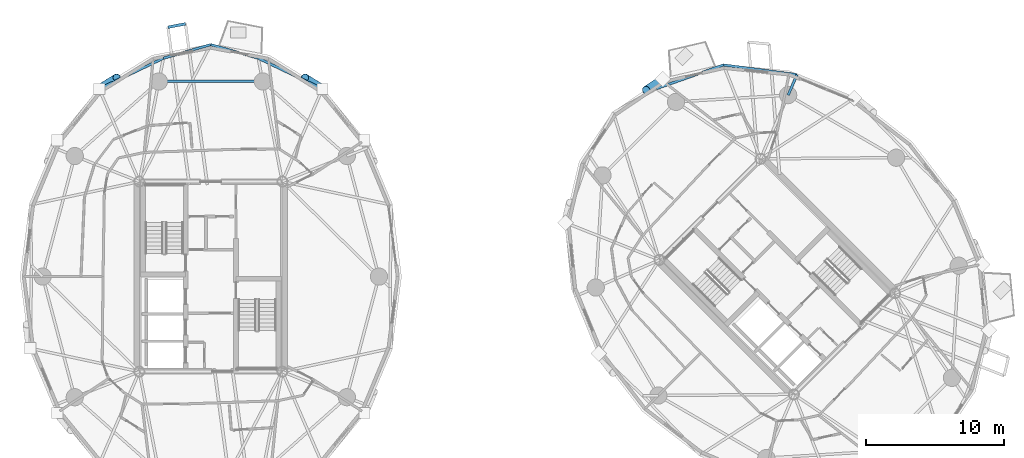
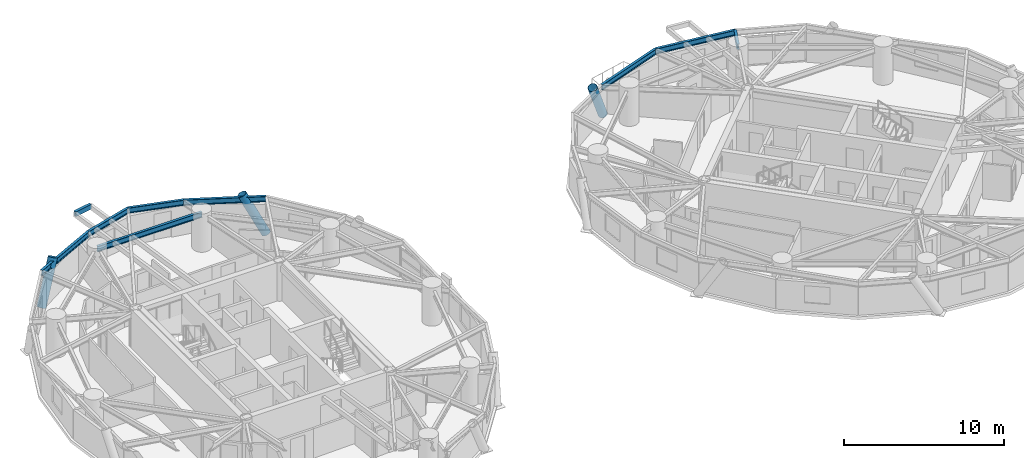
# One storey, part 6 of 19: 9 beams, 3 members.
"""IFC4 building model written with IfcOpenShell, lengths in metres."""

from ifc_helpers import new_model, si_unit, direction, frame, origin, origin_2d, place, context, subcontext, project, spatial, hollow_rectangle, hollow_circle, i_section, extrude, material, material_profile, profile_set, type_object, element, save


model = new_model("IFC4")

# Units and contexts
model_context = context("Model", 3, precision=1e-05, world=origin(), true_north=direction((0.0, 1.0)))
body_context = subcontext(model_context, "Body", "Model", "MODEL_VIEW")
ifc_project = project(units=[si_unit("LENGTHUNIT", "METRE"), si_unit("AREAUNIT", "SQUARE_METRE"), si_unit("VOLUMEUNIT", "CUBIC_METRE"), si_unit("PLANEANGLEUNIT", "RADIAN"), si_unit("MASSUNIT", "GRAM", prefix="KILO")], contexts=[model_context])

# Site, building, storey
site_placement = place(None, origin())
site = spatial("IfcSite", under=ifc_project, at=site_placement, CompositionType="ELEMENT")
building_placement = place(site_placement, origin())
building = spatial("IfcBuilding", under=site, at=building_placement, Name="Cununo Teusaquillo Station Towers", CompositionType="ELEMENT")
storey_placement = place(building_placement, frame((0.0, 0.0, 177.7900390625)))
storey = spatial("IfcBuildingStorey", under=building, at=storey_placement, Name="L56", CompositionType="ELEMENT", Elevation=177.7900390625)

# Beams
ifc_material_1 = material(Name="Steel ASTM A572 Grade 50", Category="steel")
ifc_material_profile_1 = material_profile(ifc_material_1, i_section(OverallWidth=0.180908203125, OverallDepth=0.4169921875, WebThickness=0.010986328125, FlangeThickness=0.018310546875, FilletRadius=0.012939453125, at=origin_2d()), Name="W16X57")
ifc_profile_set_1 = profile_set([ifc_material_profile_1], Name="Steel ASTM A572 Grade 50")
beam_type_1 = type_object("IfcBeamType", Name="BM-RAD-G2", PredefinedType="BEAM", material=ifc_profile_set_1)
beam_1_placement = place(storey_placement, frame((58.291015625, 37.63525390625, 2.4814453125), z_axis=(0.397381487564, 0.917653503966, 0.0), x_axis=(-0.917653503966, 0.397381487564, 0.0)))
element("IfcBeam", 1, at=beam_1_placement, inside=storey, type_object=beam_type_1, Name="L56 Tower B Perimeter Overhang Girder 02B", PredefinedType="BEAM", context=body_context, shape_type="SweptSolid", body=[
    extrude(i_section(OverallWidth=0.180908203125, OverallDepth=0.4169921875, WebThickness=0.010986328125, FlangeThickness=0.018310546875, FilletRadius=0.012939453125, at=origin_2d()), origin(), (0.0, 0.0, 1.0), 1.607177734375),
])
ifc_material_2 = material(Name="Steel ASTM A572 Grade 50", Category="steel")
ifc_material_profile_2 = material_profile(ifc_material_2, i_section(OverallWidth=0.180908203125, OverallDepth=0.4169921875, WebThickness=0.010986328125, FlangeThickness=0.018310546875, FilletRadius=0.012939453125, at=origin_2d()), Name="W16X57")
ifc_profile_set_2 = profile_set([ifc_material_profile_2], Name="Steel ASTM A572 Grade 50")
beam_type_2 = type_object("IfcBeamType", Name="BM-RING-Z3", PredefinedType="SPANDREL", material=ifc_profile_set_2)
beam_2_placement = place(storey_placement, frame((20.261474609375, 38.623291015625, 2.4814453125), z_axis=(-1.0, 0.0, 0.0), x_axis=(0.0, -1.0, 0.0)))
element("IfcBeam", 2, at=beam_2_placement, inside=storey, type_object=beam_type_2, Name="L56 Tower A Structural Column Ring Girder 03", PredefinedType="SPANDREL", context=body_context, shape_type="SweptSolid", body=[
    extrude(i_section(OverallWidth=0.180908203125, OverallDepth=0.4169921875, WebThickness=0.010986328125, FlangeThickness=0.018310546875, FilletRadius=0.012939453125, at=origin_2d()), origin(), (0.0, 0.0, 1.0), 7.52294921875),
])
beam_3_placement = place(storey_placement, frame((24.58251953125, 38.08349609375, 2.4814453125), z_axis=(-0.902031610991, 0.431669981319, 0.0), x_axis=(-0.431669981319, -0.902031610991, 0.0)))
element("IfcBeam", 3, at=beam_3_placement, inside=storey, type_object=beam_type_2, Name="L56 Tower A Spandrel Ring Beam 04", PredefinedType="SPANDREL", context=body_context, shape_type="SweptSolid", body=[
    extrude(i_section(OverallWidth=0.180908203125, OverallDepth=0.4169921875, WebThickness=0.010986328125, FlangeThickness=0.018310546875, FilletRadius=0.012939453125, at=origin_2d()), origin(), (0.0, 0.0, 1.0), 5.1552734375),
])
for number, where, z_axis, x_axis, name in (
    (4, (19.932373046875, 40.308837890625, 2.4814453125), (-0.961485227168, 0.274856613414, 0.0), (-0.274856613414, -0.961485227168, 0.0), "L56 Tower A Spandrel Ring Beam 05"),
    (5, (16.5, 41.2900390625, 2.4814453125), (-0.961485227168, -0.274856613414, 0.0), (0.274856613414, -0.961485227168, 0.0), "L56 Tower A Spandrel Ring Beam 06"),
):
    element("IfcBeam", number, at=place(storey_placement, frame(where, z_axis=z_axis, x_axis=x_axis)), inside=storey, type_object=beam_type_2, Name=name, PredefinedType="SPANDREL", context=body_context, shape_type="SweptSolid", body=[
        extrude(i_section(OverallWidth=0.180908203125, OverallDepth=0.4169921875, WebThickness=0.010986328125, FlangeThickness=0.018310546875, FilletRadius=0.012939453125, at=origin_2d()), origin(), (0.0, 0.0, 1.0), 3.56982421875),
    ])
beam_4_placement = place(storey_placement, frame((13.067626953125, 40.308837890625, 2.4814453125), z_axis=(-0.902031610991, -0.431669981319, 0.0), x_axis=(0.431669981319, -0.902031610991, 0.0)))
element("IfcBeam", 6, at=beam_4_placement, inside=storey, type_object=beam_type_2, Name="L56 Tower A Spandrel Ring Beam 07", PredefinedType="SPANDREL", context=body_context, shape_type="SweptSolid", body=[
    extrude(i_section(OverallWidth=0.180908203125, OverallDepth=0.4169921875, WebThickness=0.010986328125, FlangeThickness=0.018310546875, FilletRadius=0.012939453125, at=origin_2d()), origin(), (0.0, 0.0, 1.0), 5.1552734375),
])
beam_5_placement = place(storey_placement, frame((58.9296875, 39.110107421875, 2.4814453125), z_axis=(-0.991204443213, 0.132339532096, 0.0), x_axis=(-0.132339532096, -0.991204443213, 0.0)))
element("IfcBeam", 7, at=beam_5_placement, inside=storey, type_object=beam_type_2, Name="L56 Tower B Spandrel Ring Beam 03", PredefinedType="SPANDREL", context=body_context, shape_type="SweptSolid", body=[
    extrude(i_section(OverallWidth=0.180908203125, OverallDepth=0.4169921875, WebThickness=0.010986328125, FlangeThickness=0.018310546875, FilletRadius=0.012939453125, at=origin_2d()), origin(), (0.0, 0.0, 1.0), 5.366455078125),
])
beam_6_placement = place(storey_placement, frame((53.6103515625, 39.8203125, 2.4814453125), z_axis=(-0.943071614141, -0.332589733158, 0.0), x_axis=(0.332589733158, -0.943071614141, 0.0)))
element("IfcBeam", 8, at=beam_6_placement, inside=storey, type_object=beam_type_2, Name="L56 Tower B Spandrel Ring Beam 04", PredefinedType="SPANDREL", context=body_context, shape_type="SweptSolid", body=[
    extrude(i_section(OverallWidth=0.180908203125, OverallDepth=0.4169921875, WebThickness=0.010986328125, FlangeThickness=0.018310546875, FilletRadius=0.012939453125, at=origin_2d()), origin(), (0.0, 0.0, 1.0), 5.1552734375),
])
ifc_material_3 = material(Name="Steel EN 10025-2 S355J2", Category="steel")
ifc_material_profile_3 = material_profile(ifc_material_3, hollow_rectangle(XDim=0.199951171875, YDim=0.35009765625, WallThickness=0.013916015625, at=origin_2d()), Name="RHS 350x200x14")
ifc_profile_set_3 = profile_set([ifc_material_profile_3], Name="Steel EN 10025-2 S355J2")
beam_type_3 = type_object("IfcBeamType", Name="BM-STAIR-TRIM", PredefinedType="BEAM", material=ifc_profile_set_3)
beam_7_placement = place(storey_placement, frame((14.666015625, 42.795166015625, 2.52490234375), z_axis=(-0.981844538169, -0.189687381942, 0.0), x_axis=(0.189687381942, -0.981844538169, 0.0)))
element("IfcBeam", 9, at=beam_7_placement, inside=storey, type_object=beam_type_3, Name="L56 Tower A Balcony Edge Trimmer Beam 1", PredefinedType="BEAM", context=body_context, shape_type="SweptSolid", body=[
    extrude(hollow_rectangle(XDim=0.199951171875, YDim=0.35009765625, WallThickness=0.013916015625, at=origin_2d()), origin(), (0.0, 0.0, 1.0), 1.29345703125),
])

# Members
ifc_material_4 = material(Name="Steel EN 10025-2 S355J2", Category="steel")
ifc_material_profile_4 = material_profile(ifc_material_4, hollow_circle(Radius=0.304931640625, WallThickness=0.02001953125, at=origin_2d()), Name="CHS 610x20")
ifc_profile_set_4 = profile_set([ifc_material_profile_4], Name="Steel EN 10025-2 S355J2")
member_type = type_object("IfcMemberType", Name="MBR-DIAG-Z3", PredefinedType="BRACE", material=ifc_profile_set_4)
for number, where, z_axis, x_axis, name in (
    (10, (24.58251953125, 38.08349609375, -0.14013671875), (-0.390029746929, 0.242632184945, 0.888260333089), (-0.528218719344, -0.849108346758, 0.0), "L56 Tower A Folded-Zigzag Diagrid Tube C03"),
    (11, (8.41748046875, 38.08349609375, -0.14013671875), (0.390029746929, 0.242632184945, 0.888260333089), (-0.528218719344, 0.849108346758, 0.0), "L56 Tower A Folded-Zigzag Diagrid Tube C06"),
):
    element("IfcMember", number, at=place(storey_placement, frame(where, z_axis=z_axis, x_axis=x_axis)), inside=storey, type_object=member_type, Name=name, PredefinedType="BRACE", context=body_context, shape_type="SweptSolid", body=[
        extrude(hollow_circle(Radius=0.304931640625, WallThickness=0.02001953125, at=origin_2d()), origin(), (0.0, 0.0, 1.0), 3.276123046875),
    ])
member_placement = place(storey_placement, frame((49.21337890625, 38.7958984375, -0.14013671875), z_axis=(-0.367933946506, -0.248721844533, 0.895969896292), x_axis=(0.560039546625, -0.828465875107, 0.0)))
element("IfcMember", 12, at=member_placement, inside=storey, type_object=member_type, Name="L56 Tower B Folded-Zigzag Diagrid Tube C04", PredefinedType="BRACE", context=body_context, shape_type="SweptSolid", body=[
    extrude(hollow_circle(Radius=0.304931640625, WallThickness=0.02001953125, at=origin_2d()), origin(), (0.0, 0.0, 1.0), 3.248046875),
])

save(model, "model.ifc")
